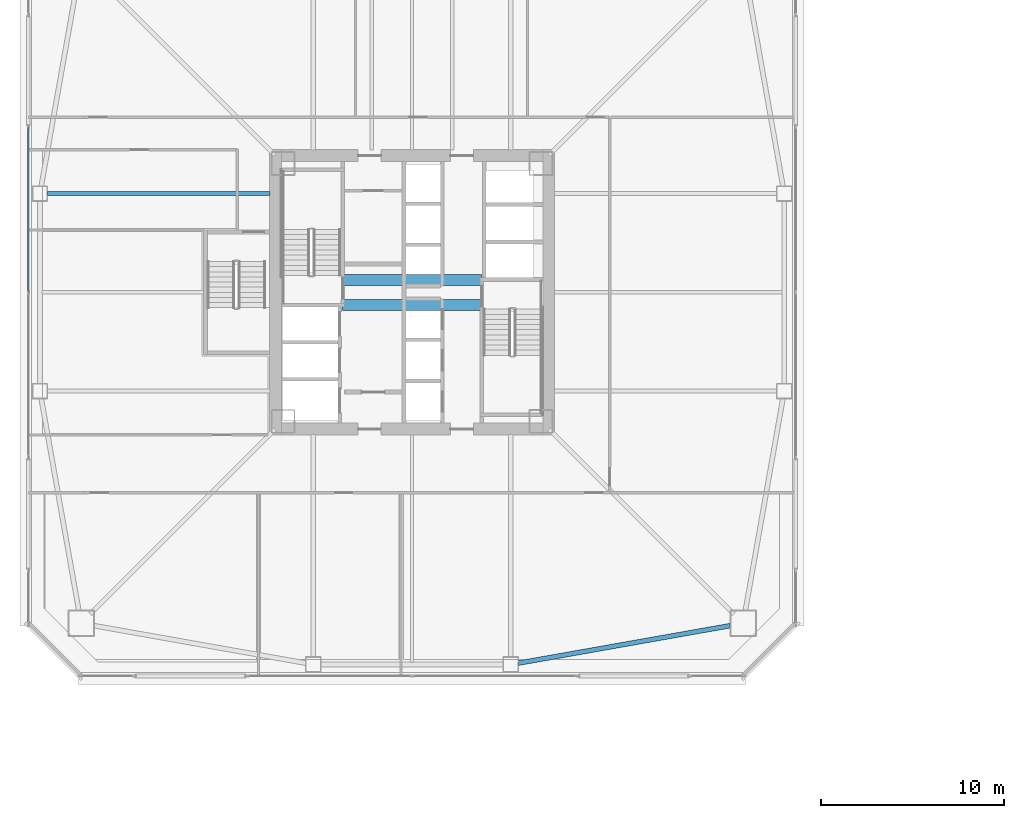
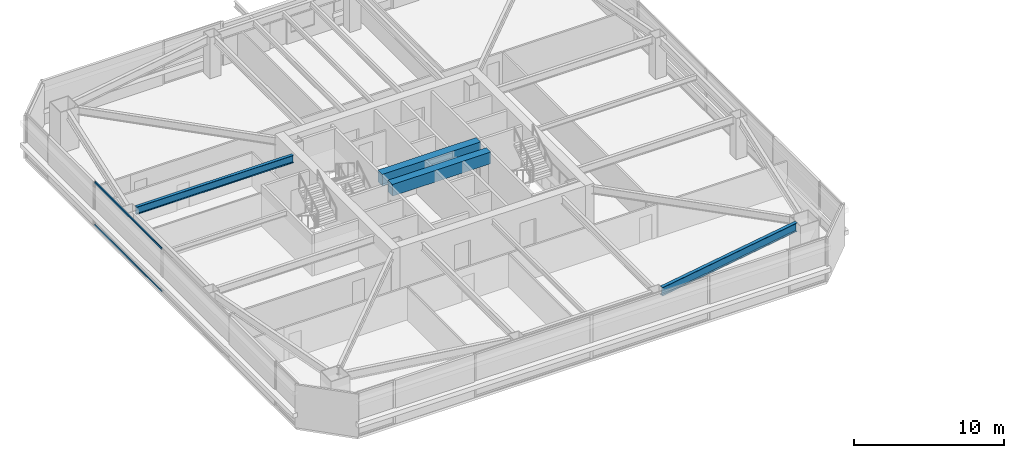
# One storey, part 7 of 48: 4 beams, 2 members, 1 element without a shape of its own.
"""IFC4 building model written with IfcOpenShell, lengths in metres."""

from ifc_helpers import new_model, si_unit, direction, frame, origin, origin_2d, place, context, subcontext, project, spatial, rectangle, hollow_rectangle, i_section, extrude, material, material_profile, profile_set, type_object, element, aggregate, save


model = new_model("IFC4")

# Units and contexts
model_context = context("Model", 3, precision=1e-05, world=origin(), true_north=direction((0.0, 1.0)))
body_context = subcontext(model_context, "Body", "Model", "MODEL_VIEW")
ifc_project = project(units=[si_unit("LENGTHUNIT", "METRE"), si_unit("AREAUNIT", "SQUARE_METRE"), si_unit("VOLUMEUNIT", "CUBIC_METRE"), si_unit("PLANEANGLEUNIT", "RADIAN"), si_unit("MASSUNIT", "GRAM", prefix="KILO")], contexts=[model_context])

# Site, building, storey
site_placement = place(None, origin())
site = spatial("IfcSite", under=ifc_project, at=site_placement, CompositionType="ELEMENT")
building_placement = place(site_placement, origin())
building = spatial("IfcBuilding", under=site, at=building_placement, Name="Tashvorn Skyway Center", CompositionType="ELEMENT")
storey_placement = place(building_placement, frame((0.0, 0.0, 77.85009765625)))
storey = spatial("IfcBuildingStorey", under=building, at=storey_placement, Name="L20", CompositionType="ELEMENT", Elevation=77.85009765625)

# Beams
ifc_material_1 = material(Name="Steel ASTM A992 Grade 50", Category="steel")
ifc_material_profile_1 = material_profile(ifc_material_1, i_section(OverallWidth=0.22998046875, OverallDepth=0.616943359375, WebThickness=0.01318359375, FlangeThickness=0.022216796875, at=origin_2d()), Name="W24X94")
ifc_profile_set_1 = profile_set([ifc_material_profile_1], Name="Steel ASTM A992 Grade 50")
beam_type_1 = type_object("IfcBeamType", Name="BM-BEAM-W24X94", PredefinedType="BEAM", material=ifc_profile_set_1)
beam_1_placement = place(storey_placement, frame((22.070068359375, 37.39990234375, 3.04150390625), z_axis=(1.0, 0.0, 0.0), x_axis=(0.0, 1.0, 0.0)))
element("IfcBeam", 1, at=beam_1_placement, inside=storey, type_object=beam_type_1, Name="Tower 1 L20 Primary Floor Girder FC-W1", PredefinedType="BEAM", context=body_context, shape_type="SweptSolid", body=[
    extrude(i_section(OverallWidth=0.22998046875, OverallDepth=0.616943359375, WebThickness=0.01318359375, FlangeThickness=0.022216796875, at=origin_2d()), origin(), (0.0, 0.0, 1.0), 12.14990234375),
])
ifc_material_2 = material(Name="Concrete C60/75", Category="concrete")
ifc_material_profile_2 = material_profile(ifc_material_2, rectangle(XDim=0.60009765625, YDim=0.949951171875, at=origin_2d()), Name="RCB600x950")
ifc_profile_set_2 = profile_set([ifc_material_profile_2], Name="Concrete C60/75")
beam_type_2 = type_object("IfcBeamType", Name="BM-LINTEL-RCB600x950", PredefinedType="LINTEL", material=ifc_profile_set_2)
for number, where, z_axis, x_axis, name in (
    (2, (38.199951171875, 32.679931640625, 2.875), (1.0, 0.0, 0.0), (0.0, 1.0, 0.0), "Tower 1 L20 Core Coupling Beam CN"),
    (3, (38.199951171875, 31.320068359375, 2.875), (1.0, 0.0, 0.0), (0.0, 1.0, 0.0), "Tower 1 L20 Core Coupling Beam CS"),
):
    element("IfcBeam", number, at=place(storey_placement, frame(where, z_axis=z_axis, x_axis=x_axis)), inside=storey, type_object=beam_type_2, Name=name, PredefinedType="LINTEL", context=body_context, shape_type="SweptSolid", body=[
        extrude(rectangle(XDim=0.60009765625, YDim=0.949951171875, at=origin_2d()), origin(), (0.0, 0.0, 1.0), 7.60009765625),
    ])
ifc_material_profile_3 = material_profile(ifc_material_1, i_section(OverallWidth=0.256103515625, OverallDepth=0.693115234375, WebThickness=0.014404296875, FlangeThickness=0.023681640625, at=origin_2d()), Name="W27X114")
ifc_profile_set_3 = profile_set([ifc_material_profile_3], Name="Steel ASTM A992 Grade 50")
beam_type_3 = type_object("IfcBeamType", Name="BM-SPANDREL-W27X114", PredefinedType="SPANDREL", material=ifc_profile_set_3)
beam_2_placement = place(storey_placement, frame((47.8134765625, 11.723388671875, 3.00341796875), z_axis=(0.98466816531, 0.174437966698, 0.0), x_axis=(-0.174437966698, 0.98466816531, 0.0)))
element("IfcBeam", 4, at=beam_2_placement, inside=storey, type_object=beam_type_3, Name="Tower 1 L20 Spandrel Beam 03", PredefinedType="SPANDREL", context=body_context, shape_type="SweptSolid", body=[
    extrude(i_section(OverallWidth=0.256103515625, OverallDepth=0.693115234375, WebThickness=0.014404296875, FlangeThickness=0.023681640625, at=origin_2d()), origin(), (0.0, 0.0, 1.0), 11.7578125),
])

# Curtain wall, members
ifc_material_3 = material(Name="Thermally broken bronze-anodized aluminium 6063-T6", Category="aluminium")
curtain_wall_type = type_object("IfcCurtainWallType", Name="CW-CW-Z2", PredefinedType="NOTDEFINED", material=ifc_material_3)
curtain_wall_placement = place(storey_placement, origin())
curtain_wall = element("IfcCurtainWall", 5, at=curtain_wall_placement, inside=storey, type_object=curtain_wall_type, Name="Tower 1 L20 West Unitised Curtain Wall Glazing Group 2", PredefinedType="NOTDEFINED")
ifc_material_profile_4 = material_profile(ifc_material_3, hollow_rectangle(XDim=0.080078125, YDim=0.14990234375, WallThickness=0.00439453125, at=origin_2d()), Name="ALU-TRAN-80x150")
ifc_profile_set_4 = profile_set([ifc_material_profile_4], Name="Thermally broken bronze-anodized aluminium 6063-T6")
member_type = type_object("IfcMemberType", Name="CWT-CW-Z2", PredefinedType="USERDEFINED", material=ifc_profile_set_4)
member_1_placement = place(storey_placement, frame((21.02001953125, 32.0400390625, 0.039794921875), z_axis=(0.0, 1.0, 0.0), x_axis=(-1.0, 0.0, 0.0)))
member_1 = element("IfcMember", 6, at=member_1_placement, type_object=member_type, Name="CW-Z2 transom 2.1", ObjectType="TRANSOM", PredefinedType="USERDEFINED", context=body_context, shape_type="SweptSolid", body=[
    extrude(hollow_rectangle(XDim=0.080078125, YDim=0.14990234375, WallThickness=0.00439453125, at=origin_2d()), origin(), (0.0, 0.0, 1.0), 8.969970703125),
])
member_2_placement = place(storey_placement, frame((21.02001953125, 32.0400390625, 3.510009765625), z_axis=(0.0, 1.0, 0.0), x_axis=(-1.0, 0.0, 0.0)))
member_2 = element("IfcMember", 7, at=member_2_placement, type_object=member_type, Name="CW-Z2 transom 2.2", ObjectType="TRANSOM", PredefinedType="USERDEFINED", context=body_context, shape_type="SweptSolid", body=[
    extrude(hollow_rectangle(XDim=0.080078125, YDim=0.14990234375, WallThickness=0.00439453125, at=origin_2d()), origin(), (0.0, 0.0, 1.0), 8.969970703125),
])
aggregate(curtain_wall, [member_1, member_2])

save(model, "model.ifc")
